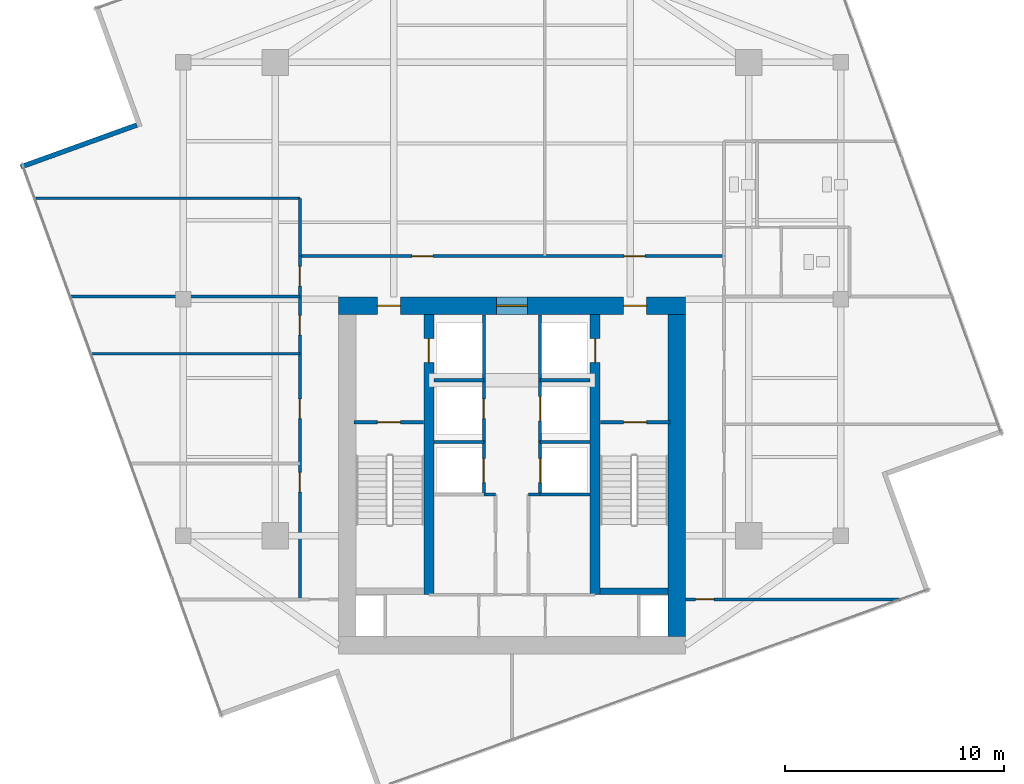
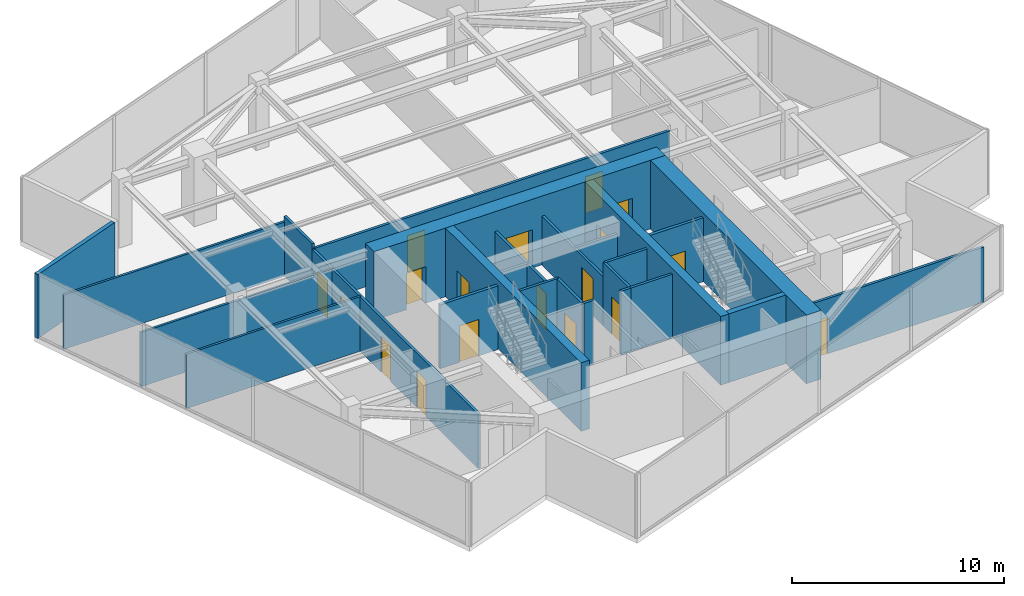
# One storey, part 18 of 21: 26 walls, 18 doors, 18 openings.
"""IFC4 building model written with IfcOpenShell, lengths in metres."""

from ifc_helpers import new_model, si_unit, direction, frame, frame_2d, origin, place, context, subcontext, project, spatial, rectangle, extrude, material, layer, layer_set, type_object, element, fill, save


model = new_model("IFC4")

# Units and contexts
model_context = context("Model", 3, precision=1e-05, world=origin(), true_north=direction((0.0, 1.0)))
body_context = subcontext(model_context, "Body", "Model", "MODEL_VIEW")
ifc_project = project(units=[si_unit("LENGTHUNIT", "METRE"), si_unit("AREAUNIT", "SQUARE_METRE"), si_unit("VOLUMEUNIT", "CUBIC_METRE"), si_unit("PLANEANGLEUNIT", "RADIAN"), si_unit("MASSUNIT", "GRAM", prefix="KILO")], contexts=[model_context])

# Site, building, storey
site_placement = place(None, origin())
site = spatial("IfcSite", under=ifc_project, at=site_placement, CompositionType="ELEMENT")
building_placement = place(site_placement, origin())
building = spatial("IfcBuilding", under=site, at=building_placement, Name="Krantzveldt Concourse Tower", CompositionType="ELEMENT")
storey_placement = place(building_placement, frame((0.0, 0.0, 331.64990234375)))
storey = spatial("IfcBuildingStorey", under=building, at=storey_placement, Name="L81", CompositionType="ELEMENT", Elevation=331.64990234375)

# Walls
ifc_material_1 = material(Name="Anodised aluminium 6063-T6", Category="aluminium")
ifc_layer_1 = layer(ifc_material_1, 0.219970703125, Name="Anodised aluminium 6063-T6", Category="aluminium")
ifc_layer_set_1 = layer_set([ifc_layer_1], Name="Anodised aluminium 6063-T6 (WL-EXT-NOTCH220)")
wall_type_1 = type_object("IfcWallType", Name="WL-EXT-NOTCH220", PredefinedType="ELEMENTEDWALL", material=ifc_layer_set_1)
wall_1_placement = place(storey_placement, frame((18.8798828125, 34.642822265625, 0.0), z_axis=(0.0, 0.0, 1.0), x_axis=(-0.940431745156, -0.339982547644, 0.0)))
element("IfcWall", 1, at=wall_1_placement, inside=storey, type_object=wall_type_1, Name="EW-L81-NCH03", PredefinedType="ELEMENTEDWALL", context=body_context, shape_type="SweptSolid", body=[
    extrude(rectangle(XDim=5.624755859375, YDim=0.219970703125, at=frame_2d((2.8125, 0.0))), origin(), (0.0, 0.0, 1.0), 3.670166015625),
])
ifc_material_2 = material(Name="Fire-rated gypsum plasterboard on steel stud", Category="steel")
ifc_layer_2 = layer(ifc_material_2, 0.1201171875, Name="Fire-rated gypsum plasterboard on steel stud", Category="steel")
ifc_layer_set_2 = layer_set([ifc_layer_2], Name="Fire-rated gypsum plasterboard on steel stud (WL-PART-120)")
wall_type_2 = type_object("IfcWallType", Name="WL-PART-120", PredefinedType="PARTITIONING", material=ifc_layer_set_2)
wall_2_placement = place(storey_placement, frame((15.848876953125, 26.820068359375, 0.0), z_axis=(0.0, 0.0, 1.0), x_axis=(1.0, 0.0, 0.0)))
element("IfcWall", 2, at=wall_2_placement, inside=storey, type_object=wall_type_2, Name="WP-L81-PNTS", PredefinedType="PARTITIONING", context=body_context, shape_type="SweptSolid", body=[
    extrude(rectangle(XDim=10.47119140625, YDim=0.1201171875, at=frame_2d((5.235595703125, 0.0))), origin(), (0.0, 0.0, 1.0), 3.130126953125),
])
wall_3_placement = place(storey_placement, frame((14.2294921875, 31.300048828125, 0.0), z_axis=(0.0, 0.0, 1.0), x_axis=(1.0, 0.0, 0.0)))
element("IfcWall", 3, at=wall_3_placement, inside=storey, type_object=wall_type_2, Name="WP-L81-PNTN", PredefinedType="PARTITIONING", context=body_context, shape_type="SweptSolid", body=[
    extrude(rectangle(XDim=12.090576171875, YDim=0.1201171875, at=frame_2d((6.04541015625, 0.0))), origin(), (0.0, 0.0, 1.0), 3.130126953125),
])
wall_4_placement = place(storey_placement, frame((16.796142578125, 24.199951171875, 0.0), z_axis=(0.0, 0.0, 1.0), x_axis=(1.0, 0.0, 0.0)))
element("IfcWall", 4, at=wall_4_placement, inside=storey, type_object=wall_type_2, Name="WP-L81-WD2", PredefinedType="PARTITIONING", context=body_context, shape_type="SweptSolid", body=[
    extrude(rectangle(XDim=9.52392578125, YDim=0.1201171875, at=frame_2d((4.761962890625, 0.0))), origin(), (0.0, 0.0, 1.0), 3.130126953125),
])

# Wall, openings, doors
ifc_layer_3 = layer(ifc_material_2, 0.139892578125, Name="Fire-rated gypsum plasterboard on steel stud", Category="steel")
ifc_layer_set_3 = layer_set([ifc_layer_3], Name="Fire-rated gypsum plasterboard on steel stud (WL-PART-140)")
wall_type_3 = type_object("IfcWallType", Name="WL-PART-140", PredefinedType="PARTITIONING", material=ifc_layer_set_3)
wall_5_placement = place(storey_placement, frame((26.320068359375, 28.659912109375, 0.0), z_axis=(0.0, 0.0, 1.0), x_axis=(1.0, 0.0, 0.0)))
wall_5 = element("IfcWall", 5, at=wall_5_placement, inside=storey, type_object=wall_type_3, Name="WP-L81-CNHDR", PredefinedType="PARTITIONING", context=body_context, shape_type="SweptSolid", body=[
    extrude(rectangle(XDim=19.35986328125, YDim=0.139892578125, at=frame_2d((9.679931640625, 0.0))), origin(), (0.0, 0.0, 1.0), 3.18017578125),
])
opening_1_placement = place(wall_5_placement, frame((5.114990234375, 0.0, 0.0)))
opening_1 = element("IfcOpeningElement", 6, at=opening_1_placement, cuts=wall_5, Name="Opening D-IN095", PredefinedType="OPENING", context=body_context, shape_type="SweptSolid", body=[
    extrude(rectangle(XDim=0.949951171875, YDim=2.10009765625, at=frame_2d((0.47509765625, 1.050048828125))), frame((0.0, 0.080078125, 0.0), z_axis=(0.0, -1.0, 0.0), x_axis=(1.0, 0.0, 0.0)), (0.0, 0.0, 1.0), 0.159912109375),
])
opening_2_placement = place(wall_5_placement, frame((14.794921875, 0.0, 0.0)))
opening_2 = element("IfcOpeningElement", 7, at=opening_2_placement, cuts=wall_5, Name="Opening D-IN095", PredefinedType="OPENING", context=body_context, shape_type="SweptSolid", body=[
    extrude(rectangle(XDim=0.949951171875, YDim=2.10009765625, at=frame_2d((0.47509765625, 1.050048828125))), frame((0.0, 0.080078125, 0.0), z_axis=(0.0, -1.0, 0.0), x_axis=(1.0, 0.0, 0.0)), (0.0, 0.0, 1.0), 0.159912109375),
])
ifc_material_3 = material(Name="Hardwood timber", Category="wood")
door_type_1 = type_object("IfcDoorType", Name="DR-INT-950", OperationType="SINGLE_SWING_LEFT", PredefinedType="DOOR", material=ifc_material_3)
door_1_placement = place(opening_1_placement, origin())
door_1 = element("IfcDoor", 8, at=door_1_placement, inside=storey, type_object=door_type_1, Name="DR-L81-NR1", OperationType="SINGLE_SWING_LEFT", OverallHeight=2.10009765625, OverallWidth=0.949951171875, PredefinedType="DOOR", context=body_context, shape_type="SweptSolid", body=[
    extrude(rectangle(XDim=0.949951171875, YDim=2.10009765625, at=frame_2d((0.47509765625, 1.050048828125))), frame((0.0, 0.02490234375, 0.0), z_axis=(0.0, -1.0, 0.0), x_axis=(1.0, 0.0, 0.0)), (0.0, 0.0, 1.0), 0.050048828125),
])
fill(opening_1, door_1)
door_2_placement = place(opening_2_placement, origin())
door_2 = element("IfcDoor", 9, at=door_2_placement, inside=storey, type_object=door_type_1, Name="DR-L81-NR2", OperationType="SINGLE_SWING_LEFT", OverallHeight=2.10009765625, OverallWidth=0.949951171875, PredefinedType="DOOR", context=body_context, shape_type="SweptSolid", body=[
    extrude(rectangle(XDim=0.949951171875, YDim=2.10009765625, at=frame_2d((0.47509765625, 1.050048828125))), frame((0.0, 0.02490234375, 0.0), z_axis=(0.0, -1.0, 0.0), x_axis=(1.0, 0.0, 0.0)), (0.0, 0.0, 1.0), 0.050048828125),
])
fill(opening_2, door_2)

wall_6_placement = place(storey_placement, frame((26.320068359375, 13.0, 0.0), z_axis=(0.0, 0.0, 1.0), x_axis=(0.0, 1.0, 0.0)))
wall_6 = element("IfcWall", 10, at=wall_6_placement, inside=storey, type_object=wall_type_3, Name="WP-L81-CWEST", PredefinedType="PARTITIONING", context=body_context, shape_type="SweptSolid", body=[
    extrude(rectangle(XDim=15.659912109375, YDim=0.139892578125, at=frame_2d((7.830078125, 0.0))), origin(), (0.0, 0.0, 1.0), 3.130126953125),
])
opening_3_placement = place(wall_6_placement, frame((14.300048828125, 0.0, 0.0)))
opening_3 = element("IfcOpeningElement", 11, at=opening_3_placement, cuts=wall_6, Name="Opening D-IN090", PredefinedType="OPENING", context=body_context, shape_type="SweptSolid", body=[
    extrude(rectangle(XDim=0.89990234375, YDim=2.10009765625, at=frame_2d((0.449951171875, 1.050048828125))), frame((0.0, 0.080078125, 0.0), z_axis=(0.0, -1.0, 0.0), x_axis=(1.0, 0.0, 0.0)), (0.0, 0.0, 1.0), 0.159912109375),
])
opening_4_placement = place(wall_6_placement, frame((4.89990234375, 0.0, 0.0)))
opening_4 = element("IfcOpeningElement", 12, at=opening_4_placement, cuts=wall_6, Name="Opening D-IN090", PredefinedType="OPENING", context=body_context, shape_type="SweptSolid", body=[
    extrude(rectangle(XDim=0.89990234375, YDim=2.10009765625, at=frame_2d((0.449951171875, 1.050048828125))), frame((0.0, 0.080078125, 0.0), z_axis=(0.0, -1.0, 0.0), x_axis=(1.0, 0.0, 0.0)), (0.0, 0.0, 1.0), 0.159912109375),
])
opening_5_placement = place(wall_6_placement, frame((8.25, 0.0, 0.0)))
opening_5 = element("IfcOpeningElement", 13, at=opening_5_placement, cuts=wall_6, Name="Opening D-IN090", PredefinedType="OPENING", context=body_context, shape_type="SweptSolid", body=[
    extrude(rectangle(XDim=0.89990234375, YDim=2.10009765625, at=frame_2d((0.449951171875, 1.050048828125))), frame((0.0, 0.080078125, 0.0), z_axis=(0.0, -1.0, 0.0), x_axis=(1.0, 0.0, 0.0)), (0.0, 0.0, 1.0), 0.159912109375),
])
opening_6_placement = place(wall_6_placement, frame((12.06005859375, 0.0, 0.0)))
opening_6 = element("IfcOpeningElement", 14, at=opening_6_placement, cuts=wall_6, Name="Opening D-IN090", PredefinedType="OPENING", context=body_context, shape_type="SweptSolid", body=[
    extrude(rectangle(XDim=0.89990234375, YDim=2.10009765625, at=frame_2d((0.449951171875, 1.050048828125))), frame((0.0, 0.080078125, 0.0), z_axis=(0.0, -1.0, 0.0), x_axis=(1.0, 0.0, 0.0)), (0.0, 0.0, 1.0), 0.159912109375),
])
door_type_2 = type_object("IfcDoorType", Name="DR-INT-900", OperationType="SINGLE_SWING_LEFT", PredefinedType="DOOR", material=ifc_material_3)
door_3_placement = place(opening_3_placement, origin())
door_3 = element("IfcDoor", 15, at=door_3_placement, inside=storey, type_object=door_type_2, Name="DR-L81-PNT", OperationType="SINGLE_SWING_LEFT", OverallHeight=2.10009765625, OverallWidth=0.89990234375, PredefinedType="DOOR", context=body_context, shape_type="SweptSolid", body=[
    extrude(rectangle(XDim=0.89990234375, YDim=2.10009765625, at=frame_2d((0.449951171875, 1.050048828125))), frame((0.0, 0.02490234375, 0.0), z_axis=(0.0, -1.0, 0.0), x_axis=(1.0, 0.0, 0.0)), (0.0, 0.0, 1.0), 0.050048828125),
])
fill(opening_3, door_3)
door_4_placement = place(opening_4_placement, origin())
door_4 = element("IfcDoor", 16, at=door_4_placement, inside=storey, type_object=door_type_2, Name="DR-L81-WR1", OperationType="SINGLE_SWING_LEFT", OverallHeight=2.10009765625, OverallWidth=0.89990234375, PredefinedType="DOOR", context=body_context, shape_type="SweptSolid", body=[
    extrude(rectangle(XDim=0.89990234375, YDim=2.10009765625, at=frame_2d((0.449951171875, 1.050048828125))), frame((0.0, 0.02490234375, 0.0), z_axis=(0.0, -1.0, 0.0), x_axis=(1.0, 0.0, 0.0)), (0.0, 0.0, 1.0), 0.050048828125),
])
fill(opening_4, door_4)
door_5_placement = place(opening_5_placement, origin())
door_5 = element("IfcDoor", 17, at=door_5_placement, inside=storey, type_object=door_type_2, Name="DR-L81-WR2", OperationType="SINGLE_SWING_LEFT", OverallHeight=2.10009765625, OverallWidth=0.89990234375, PredefinedType="DOOR", context=body_context, shape_type="SweptSolid", body=[
    extrude(rectangle(XDim=0.89990234375, YDim=2.10009765625, at=frame_2d((0.449951171875, 1.050048828125))), frame((0.0, 0.02490234375, 0.0), z_axis=(0.0, -1.0, 0.0), x_axis=(1.0, 0.0, 0.0)), (0.0, 0.0, 1.0), 0.050048828125),
])
fill(opening_5, door_5)
door_6_placement = place(opening_6_placement, origin())
door_6 = element("IfcDoor", 18, at=door_6_placement, inside=storey, type_object=door_type_2, Name="DR-L81-WR3", OperationType="SINGLE_SWING_LEFT", OverallHeight=2.10009765625, OverallWidth=0.89990234375, PredefinedType="DOOR", context=body_context, shape_type="SweptSolid", body=[
    extrude(rectangle(XDim=0.89990234375, YDim=2.10009765625, at=frame_2d((0.449951171875, 1.050048828125))), frame((0.0, 0.02490234375, 0.0), z_axis=(0.0, -1.0, 0.0), x_axis=(1.0, 0.0, 0.0)), (0.0, 0.0, 1.0), 0.050048828125),
])
fill(opening_6, door_6)

# Wall, opening, door
wall_7_placement = place(storey_placement, frame((43.919921875, 13.0, 0.0), z_axis=(0.0, 0.0, 1.0), x_axis=(1.0, 0.0, 0.0)))
wall_7 = element("IfcWall", 19, at=wall_7_placement, inside=storey, type_object=wall_type_3, Name="WP-L81-CSBOTE", PredefinedType="PARTITIONING", context=body_context, shape_type="SweptSolid", body=[
    extrude(rectangle(XDim=9.80517578125, YDim=0.139892578125, at=frame_2d((4.902587890625, 0.0))), origin(), (0.0, 0.0, 1.0), 3.18017578125),
])
opening_7_placement = place(wall_7_placement, frame((0.455078125, 0.0, 0.0)))
opening_7 = element("IfcOpeningElement", 20, at=opening_7_placement, cuts=wall_7, Name="Opening D-IN085", PredefinedType="OPENING", context=body_context, shape_type="SweptSolid", body=[
    extrude(rectangle(XDim=0.85009765625, YDim=2.10009765625, at=frame_2d((0.425048828125, 1.050048828125))), frame((0.0, 0.080078125, 0.0), z_axis=(0.0, -1.0, 0.0), x_axis=(1.0, 0.0, 0.0)), (0.0, 0.0, 1.0), 0.159912109375),
])
door_type_3 = type_object("IfcDoorType", Name="DR-INT-850", OperationType="SINGLE_SWING_LEFT", PredefinedType="DOOR", material=ifc_material_3)
door_7_placement = place(opening_7_placement, origin())
door_7 = element("IfcDoor", 21, at=door_7_placement, inside=storey, type_object=door_type_3, Name="DR-L81-SR2", OperationType="SINGLE_SWING_LEFT", OverallHeight=2.10009765625, OverallWidth=0.85009765625, PredefinedType="DOOR", context=body_context, shape_type="SweptSolid", body=[
    extrude(rectangle(XDim=0.85009765625, YDim=2.10009765625, at=frame_2d((0.425048828125, 1.050048828125))), frame((0.0, 0.02490234375, 0.0), z_axis=(0.0, -1.0, 0.0), x_axis=(1.0, 0.0, 0.0)), (0.0, 0.0, 1.0), 0.050048828125),
])
fill(opening_7, door_7)

# Wall
wall_8_placement = place(storey_placement, frame((26.320068359375, 28.659912109375, 0.0), z_axis=(0.0, 0.0, 1.0), x_axis=(0.0, 1.0, 0.0)))
element("IfcWall", 22, at=wall_8_placement, inside=storey, type_object=wall_type_3, Name="WP-L81-NWL", PredefinedType="PARTITIONING", context=body_context, shape_type="SweptSolid", body=[
    extrude(rectangle(XDim=2.64013671875, YDim=0.139892578125, at=frame_2d((1.320068359375, 0.0))), origin(), (0.0, 0.0, 1.0), 3.43017578125),
])

# Wall, opening, door
ifc_layer_4 = layer(ifc_material_2, 0.139892578125, Name="Fire-rated gypsum plasterboard on steel stud", Category="steel")
ifc_layer_set_4 = layer_set([ifc_layer_4], Name="Fire-rated gypsum plasterboard on steel stud (WL-PART-FR140)")
wall_type_4 = type_object("IfcWallType", Name="WL-PART-FR140", PredefinedType="PARTITIONING", material=ifc_layer_set_4)
wall_9_placement = place(storey_placement, frame((34.719970703125, 20.199951171875, 0.0), z_axis=(0.0, 0.0, 1.0), x_axis=(0.0, 1.0, 0.0)))
wall_9 = element("IfcWall", 23, at=wall_9_placement, inside=storey, type_object=wall_type_4, Name="WP-L81-SHNW", PredefinedType="PARTITIONING", context=body_context, shape_type="SweptSolid", body=[
    extrude(rectangle(XDim=5.780029296875, YDim=0.139892578125, at=frame_2d((2.89013671875, 0.0))), origin(), (0.0, 0.0, 1.0), 2.820068359375),
])
opening_8_placement = place(wall_9_placement, frame((1.050048828125, 0.0, 0.0)))
opening_8 = element("IfcOpeningElement", 24, at=opening_8_placement, cuts=wall_9, Name="Opening D-FD090", PredefinedType="OPENING", context=body_context, shape_type="SweptSolid", body=[
    extrude(rectangle(XDim=0.89990234375, YDim=2.10009765625, at=frame_2d((0.449951171875, 1.050048828125))), frame((0.0, 0.080078125, 0.0), z_axis=(0.0, -1.0, 0.0), x_axis=(1.0, 0.0, 0.0)), (0.0, 0.0, 1.0), 0.159912109375),
])
door_type_4 = type_object("IfcDoorType", Name="DR-FD60-900", OperationType="SINGLE_SWING_LEFT", PredefinedType="DOOR", material=ifc_material_3)
door_8_placement = place(opening_8_placement, origin())
door_8 = element("IfcDoor", 25, at=door_8_placement, inside=storey, type_object=door_type_4, Name="Electrical Riser Access Door L81", OperationType="SINGLE_SWING_LEFT", OverallHeight=2.10009765625, OverallWidth=0.89990234375, PredefinedType="DOOR", context=body_context, shape_type="SweptSolid", body=[
    extrude(rectangle(XDim=0.89990234375, YDim=2.10009765625, at=frame_2d((0.449951171875, 1.050048828125))), frame((0.0, 0.02490234375, 0.0), z_axis=(0.0, -1.0, 0.0), x_axis=(1.0, 0.0, 0.0)), (0.0, 0.0, 1.0), 0.050048828125),
])
fill(opening_8, door_8)

wall_10_placement = place(storey_placement, frame((37.280029296875, 20.199951171875, 0.0), z_axis=(0.0, 0.0, 1.0), x_axis=(0.0, 1.0, 0.0)))
wall_10 = element("IfcWall", 26, at=wall_10_placement, inside=storey, type_object=wall_type_4, Name="WP-L81-SHNE", PredefinedType="PARTITIONING", context=body_context, shape_type="SweptSolid", body=[
    extrude(rectangle(XDim=5.780029296875, YDim=0.139892578125, at=frame_2d((2.89013671875, 0.0))), origin(), (0.0, 0.0, 1.0), 2.820068359375),
])
opening_9_placement = place(wall_10_placement, frame((0.949951171875, 0.0, 0.0)))
opening_9 = element("IfcOpeningElement", 27, at=opening_9_placement, cuts=wall_10, Name="Opening LD", PredefinedType="OPENING", context=body_context, shape_type="SweptSolid", body=[
    extrude(rectangle(XDim=1.10009765625, YDim=2.14990234375, at=frame_2d((0.550048828125, 1.074951171875))), frame((0.0, 0.080078125, 0.0), z_axis=(0.0, -1.0, 0.0), x_axis=(1.0, 0.0, 0.0)), (0.0, 0.0, 1.0), 0.159912109375),
])
ifc_material_4 = material(Name="Stainless steel 316L", Category="steel")
door_type_5 = type_object("IfcDoorType", Name="DR-SLIDE-LD1100", OperationType="DOUBLE_DOOR_SLIDING", PredefinedType="DOOR", material=ifc_material_4)
door_9_placement = place(opening_9_placement, origin())
door_9 = element("IfcDoor", 28, at=door_9_placement, inside=storey, type_object=door_type_5, Name="LD-L81-GL1", OperationType="DOUBLE_DOOR_SLIDING", OverallHeight=2.14990234375, OverallWidth=1.10009765625, PredefinedType="DOOR", context=body_context, shape_type="SweptSolid", body=[
    extrude(rectangle(XDim=1.10009765625, YDim=2.14990234375, at=frame_2d((0.550048828125, 1.074951171875))), frame((0.0, 0.02490234375, 0.0), z_axis=(0.0, -1.0, 0.0), x_axis=(1.0, 0.0, 0.0)), (0.0, 0.0, 1.0), 0.050048828125),
])
fill(opening_9, door_9)

# Walls
for number, where, z_axis, x_axis, name in (
    (29, (32.449951171875, 23.0, 0.0), (0.0, 0.0, 1.0), (1.0, 0.0, 0.0), "WP-L81-RISH"),
    (30, (37.280029296875, 23.0, 0.0), (0.0, 0.0, 1.0), (1.0, 0.0, 0.0), "WP-L81-GLH"),
):
    element("IfcWall", number, at=place(storey_placement, frame(where, z_axis=z_axis, x_axis=x_axis)), inside=storey, type_object=wall_type_4, Name=name, PredefinedType="PARTITIONING", context=body_context, shape_type="SweptSolid", body=[
        extrude(rectangle(XDim=2.27001953125, YDim=0.139892578125, at=frame_2d((1.135009765625, 0.0))), origin(), (0.0, 0.0, 1.0), 2.820068359375),
    ])

# Wall, opening, door
wall_11_placement = place(storey_placement, frame((34.719970703125, 17.780029296875, 0.0), z_axis=(0.0, 0.0, 1.0), x_axis=(0.0, 1.0, 0.0)))
wall_11 = element("IfcWall", 31, at=wall_11_placement, inside=storey, type_object=wall_type_4, Name="WP-L81-SHNW2", PredefinedType="PARTITIONING", context=body_context, shape_type="SweptSolid", body=[
    extrude(rectangle(XDim=2.419921875, YDim=0.139892578125, at=frame_2d((1.2099609375, 0.0))), origin(), (0.0, 0.0, 1.0), 3.670166015625),
])
opening_10_placement = place(wall_11_placement, frame((0.550048828125, 0.0, 0.0)))
opening_10 = element("IfcOpeningElement", 32, at=opening_10_placement, cuts=wall_11, Name="Opening LD", PredefinedType="OPENING", context=body_context, shape_type="SweptSolid", body=[
    extrude(rectangle(XDim=1.10009765625, YDim=2.14990234375, at=frame_2d((0.550048828125, 1.074951171875))), frame((0.0, 0.080078125, 0.0), z_axis=(0.0, -1.0, 0.0), x_axis=(1.0, 0.0, 0.0)), (0.0, 0.0, 1.0), 0.159912109375),
])
door_10_placement = place(opening_10_placement, origin())
door_10 = element("IfcDoor", 33, at=door_10_placement, inside=storey, type_object=door_type_5, Name="LD-L81-PH1", OperationType="DOUBLE_DOOR_SLIDING", OverallHeight=2.14990234375, OverallWidth=1.10009765625, PredefinedType="DOOR", context=body_context, shape_type="SweptSolid", body=[
    extrude(rectangle(XDim=1.10009765625, YDim=2.14990234375, at=frame_2d((0.550048828125, 1.074951171875))), frame((0.0, 0.02490234375, 0.0), z_axis=(0.0, -1.0, 0.0), x_axis=(1.0, 0.0, 0.0)), (0.0, 0.0, 1.0), 0.050048828125),
])
fill(opening_10, door_10)

wall_12_placement = place(storey_placement, frame((37.280029296875, 17.780029296875, 0.0), z_axis=(0.0, 0.0, 1.0), x_axis=(0.0, 1.0, 0.0)))
wall_12 = element("IfcWall", 34, at=wall_12_placement, inside=storey, type_object=wall_type_4, Name="WP-L81-SHNE2", PredefinedType="PARTITIONING", context=body_context, shape_type="SweptSolid", body=[
    extrude(rectangle(XDim=2.419921875, YDim=0.139892578125, at=frame_2d((1.2099609375, 0.0))), origin(), (0.0, 0.0, 1.0), 3.670166015625),
])
opening_11_placement = place(wall_12_placement, frame((0.550048828125, 0.0, 0.0)))
opening_11 = element("IfcOpeningElement", 35, at=opening_11_placement, cuts=wall_12, Name="Opening LD", PredefinedType="OPENING", context=body_context, shape_type="SweptSolid", body=[
    extrude(rectangle(XDim=1.10009765625, YDim=2.14990234375, at=frame_2d((0.550048828125, 1.074951171875))), frame((0.0, 0.080078125, 0.0), z_axis=(0.0, -1.0, 0.0), x_axis=(1.0, 0.0, 0.0)), (0.0, 0.0, 1.0), 0.159912109375),
])
door_11_placement = place(opening_11_placement, origin())
door_11 = element("IfcDoor", 36, at=door_11_placement, inside=storey, type_object=door_type_5, Name="LD-L81-PH2", OperationType="DOUBLE_DOOR_SLIDING", OverallHeight=2.14990234375, OverallWidth=1.10009765625, PredefinedType="DOOR", context=body_context, shape_type="SweptSolid", body=[
    extrude(rectangle(XDim=1.10009765625, YDim=2.14990234375, at=frame_2d((0.550048828125, 1.074951171875))), frame((0.0, 0.02490234375, 0.0), z_axis=(0.0, -1.0, 0.0), x_axis=(1.0, 0.0, 0.0)), (0.0, 0.0, 1.0), 0.050048828125),
])
fill(opening_11, door_11)

# Walls
for number, where, z_axis, x_axis, name in (
    (37, (32.449951171875, 20.179931640625, 0.0), (0.0, 0.0, 1.0), (1.0, 0.0, 0.0), "WP-L81-DIVW3"),
    (38, (37.280029296875, 17.780029296875, 0.0), (0.0, 0.0, 1.0), (1.0, 0.0, 0.0), "WP-L81-DIVE2"),
    (39, (37.280029296875, 20.179931640625, 0.0), (0.0, 0.0, 1.0), (1.0, 0.0, 0.0), "WP-L81-DIVE3"),
):
    element("IfcWall", number, at=place(storey_placement, frame(where, z_axis=z_axis, x_axis=x_axis)), inside=storey, type_object=wall_type_4, Name=name, PredefinedType="PARTITIONING", context=body_context, shape_type="SweptSolid", body=[
        extrude(rectangle(XDim=2.27001953125, YDim=0.139892578125, at=frame_2d((1.135009765625, 0.0))), origin(), (0.0, 0.0, 1.0), 3.670166015625),
    ])
for number, where, z_axis, x_axis, name in (
    (40, (34.719970703125, 17.780029296875, 0.0), (0.0, 0.0, 1.0), (1.0, 0.0, 0.0), "WP-L81-RECWN"),
    (41, (36.75, 17.780029296875, 0.0), (0.0, 0.0, 1.0), (1.0, 0.0, 0.0), "WP-L81-RECEN"),
):
    element("IfcWall", number, at=place(storey_placement, frame(where, z_axis=z_axis, x_axis=x_axis)), inside=storey, type_object=wall_type_4, Name=name, PredefinedType="PARTITIONING", context=body_context, shape_type="SweptSolid", body=[
        extrude(rectangle(XDim=0.530029296875, YDim=0.139892578125, at=frame_2d((0.26513671875, 0.0))), origin(), (0.0, 0.0, 1.0), 3.670166015625),
    ])

# Wall, opening, door
ifc_layer_5 = layer(ifc_material_2, 0.159912109375, Name="Fire-rated gypsum plasterboard on steel stud", Category="steel")
ifc_layer_set_5 = layer_set([ifc_layer_5], Name="Fire-rated gypsum plasterboard on steel stud (WL-PART-FR160)")
wall_type_5 = type_object("IfcWallType", Name="WL-PART-FR160", PredefinedType="PARTITIONING", material=ifc_layer_set_5)
wall_13_placement = place(storey_placement, frame((28.800048828125, 21.080078125, 0.0), z_axis=(0.0, 0.0, 1.0), x_axis=(1.0, 0.0, 0.0)))
wall_13 = element("IfcWall", 42, at=wall_13_placement, inside=storey, type_object=wall_type_5, Name="WP-L81-ST1", PredefinedType="PARTITIONING", context=body_context, shape_type="SweptSolid", body=[
    extrude(rectangle(XDim=3.159912109375, YDim=0.159912109375, at=frame_2d((1.580078125, 0.0))), origin(), (0.0, 0.0, 1.0), 3.670166015625),
])
opening_12_placement = place(wall_13_placement, frame((1.054931640625, 0.0, 0.0)))
opening_12 = element("IfcOpeningElement", 43, at=opening_12_placement, cuts=wall_13, Name="Opening D-FD105", PredefinedType="OPENING", context=body_context, shape_type="SweptSolid", body=[
    extrude(rectangle(XDim=1.050048828125, YDim=2.10009765625, at=frame_2d((0.52490234375, 1.050048828125))), frame((0.0, 0.08984375, 0.0), z_axis=(0.0, -1.0, 0.0), x_axis=(1.0, 0.0, 0.0)), (0.0, 0.0, 1.0), 0.179931640625),
])
ifc_material_5 = material(Name="Galvanised steel", Category="steel")
door_type_6 = type_object("IfcDoorType", Name="DR-FD120-1050", OperationType="SINGLE_SWING_LEFT", PredefinedType="DOOR", material=ifc_material_5)
door_12_placement = place(opening_12_placement, origin())
door_12 = element("IfcDoor", 44, at=door_12_placement, inside=storey, type_object=door_type_6, Name="DR-L81-ST1", OperationType="SINGLE_SWING_RIGHT", OverallHeight=2.10009765625, OverallWidth=1.050048828125, PredefinedType="DOOR", context=body_context, shape_type="SweptSolid", body=[
    extrude(rectangle(XDim=1.050048828125, YDim=2.10009765625, at=frame_2d((0.52490234375, 1.050048828125))), frame((0.0, 0.02490234375, 0.0), z_axis=(0.0, -1.0, 0.0), x_axis=(1.0, 0.0, 0.0)), (0.0, 0.0, 1.0), 0.050048828125),
])
fill(opening_12, door_12)

wall_14_placement = place(storey_placement, frame((40.0400390625, 21.080078125, 0.0), z_axis=(0.0, 0.0, 1.0), x_axis=(1.0, 0.0, 0.0)))
wall_14 = element("IfcWall", 45, at=wall_14_placement, inside=storey, type_object=wall_type_5, Name="WP-L81-ST2", PredefinedType="PARTITIONING", context=body_context, shape_type="SweptSolid", body=[
    extrude(rectangle(XDim=3.159912109375, YDim=0.159912109375, at=frame_2d((1.580078125, 0.0))), origin(), (0.0, 0.0, 1.0), 3.670166015625),
])
opening_13_placement = place(wall_14_placement, frame((1.054931640625, 0.0, 0.0)))
opening_13 = element("IfcOpeningElement", 46, at=opening_13_placement, cuts=wall_14, Name="Opening D-FD105", PredefinedType="OPENING", context=body_context, shape_type="SweptSolid", body=[
    extrude(rectangle(XDim=1.050048828125, YDim=2.10009765625, at=frame_2d((0.52490234375, 1.050048828125))), frame((0.0, 0.08984375, 0.0), z_axis=(0.0, -1.0, 0.0), x_axis=(1.0, 0.0, 0.0)), (0.0, 0.0, 1.0), 0.179931640625),
])
door_13_placement = place(opening_13_placement, origin())
door_13 = element("IfcDoor", 47, at=door_13_placement, inside=storey, type_object=door_type_6, Name="DR-L81-ST2", OperationType="SINGLE_SWING_LEFT", OverallHeight=2.10009765625, OverallWidth=1.050048828125, PredefinedType="DOOR", context=body_context, shape_type="SweptSolid", body=[
    extrude(rectangle(XDim=1.050048828125, YDim=2.10009765625, at=frame_2d((0.52490234375, 1.050048828125))), frame((0.0, 0.02490234375, 0.0), z_axis=(0.0, -1.0, 0.0), x_axis=(1.0, 0.0, 0.0)), (0.0, 0.0, 1.0), 0.050048828125),
])
fill(opening_13, door_13)

# Wall
ifc_material_6 = material(Name="Concrete C50/60", Category="concrete")
ifc_layer_6 = layer(ifc_material_6, 0.300048828125, Name="Concrete C50/60", Category="concrete")
ifc_layer_set_6 = layer_set([ifc_layer_6], Name="Concrete C50/60 (WL-SHEAR-300)")
wall_type_6 = type_object("IfcWallType", Name="WL-SHEAR-300", PredefinedType="SHEAR", material=ifc_layer_set_6)
wall_15_placement = place(storey_placement, frame((40.02001953125, 13.3701171875, 0.0), z_axis=(0.0, 0.0, 1.0), x_axis=(1.0, 0.0, 0.0)))
element("IfcWall", 48, at=wall_15_placement, inside=storey, type_object=wall_type_6, Name="CW-L81-ST2S", PredefinedType="SHEAR", context=body_context, shape_type="SweptSolid", body=[
    extrude(rectangle(XDim=3.10009765625, YDim=0.300048828125, at=frame_2d((1.550048828125, 0.0))), origin(), (0.0, 0.0, 1.0), 3.9501953125),
])

# Wall, opening, door
ifc_layer_7 = layer(ifc_material_6, 0.449951171875, Name="Concrete C50/60", Category="concrete")
ifc_layer_set_7 = layer_set([ifc_layer_7], Name="Concrete C50/60 (WL-SHEAR-450)")
wall_type_7 = type_object("IfcWallType", Name="WL-SHEAR-450", PredefinedType="SHEAR", material=ifc_layer_set_7)
wall_16_placement = place(storey_placement, frame((32.205078125, 13.219970703125, 0.0), z_axis=(0.0, 0.0, 1.0), x_axis=(0.0, 1.0, 0.0)))
wall_16 = element("IfcWall", 49, at=wall_16_placement, inside=storey, type_object=wall_type_7, Name="CW-L81-IW", PredefinedType="SHEAR", context=body_context, shape_type="SweptSolid", body=[
    extrude(rectangle(XDim=12.780029296875, YDim=0.449951171875, at=frame_2d((6.39013671875, 0.0))), origin(), (0.0, 0.0, 1.0), 3.9501953125),
])
opening_14_placement = place(wall_16_placement, frame((10.580078125, 0.0, 0.0)))
opening_14 = element("IfcOpeningElement", 50, at=opening_14_placement, cuts=wall_16, Name="Opening LD", PredefinedType="OPENING", context=body_context, shape_type="SweptSolid", body=[
    extrude(rectangle(XDim=1.10009765625, YDim=2.14990234375, at=frame_2d((0.550048828125, 1.074951171875))), frame((0.0, 0.23486328125, 0.0), z_axis=(0.0, -1.0, 0.0), x_axis=(1.0, 0.0, 0.0)), (0.0, 0.0, 1.0), 0.469970703125),
])
door_14_placement = place(opening_14_placement, origin())
door_14 = element("IfcDoor", 51, at=door_14_placement, inside=storey, type_object=door_type_5, Name="LD-L81-FL1", OperationType="DOUBLE_DOOR_SLIDING", OverallHeight=2.14990234375, OverallWidth=1.10009765625, PredefinedType="DOOR", context=body_context, shape_type="SweptSolid", body=[
    extrude(rectangle(XDim=1.10009765625, YDim=2.14990234375, at=frame_2d((0.550048828125, 1.074951171875))), frame((0.0, 0.02490234375, 0.0), z_axis=(0.0, -1.0, 0.0), x_axis=(1.0, 0.0, 0.0)), (0.0, 0.0, 1.0), 0.050048828125),
])
fill(opening_14, door_14)

wall_17_placement = place(storey_placement, frame((39.794921875, 13.219970703125, 0.0), z_axis=(0.0, 0.0, 1.0), x_axis=(0.0, 1.0, 0.0)))
wall_17 = element("IfcWall", 52, at=wall_17_placement, inside=storey, type_object=wall_type_7, Name="CW-L81-IE", PredefinedType="SHEAR", context=body_context, shape_type="SweptSolid", body=[
    extrude(rectangle(XDim=12.780029296875, YDim=0.449951171875, at=frame_2d((6.39013671875, 0.0))), origin(), (0.0, 0.0, 1.0), 3.9501953125),
])
opening_15_placement = place(wall_17_placement, frame((10.580078125, 0.0, 0.0)))
opening_15 = element("IfcOpeningElement", 53, at=opening_15_placement, cuts=wall_17, Name="Opening LD", PredefinedType="OPENING", context=body_context, shape_type="SweptSolid", body=[
    extrude(rectangle(XDim=1.10009765625, YDim=2.14990234375, at=frame_2d((0.550048828125, 1.074951171875))), frame((0.0, 0.23486328125, 0.0), z_axis=(0.0, -1.0, 0.0), x_axis=(1.0, 0.0, 0.0)), (0.0, 0.0, 1.0), 0.469970703125),
])
door_15_placement = place(opening_15_placement, origin())
door_15 = element("IfcDoor", 54, at=door_15_placement, inside=storey, type_object=door_type_5, Name="LD-L81-FL2", OperationType="DOUBLE_DOOR_SLIDING", OverallHeight=2.14990234375, OverallWidth=1.10009765625, PredefinedType="DOOR", context=body_context, shape_type="SweptSolid", body=[
    extrude(rectangle(XDim=1.10009765625, YDim=2.14990234375, at=frame_2d((0.550048828125, 1.074951171875))), frame((0.0, 0.02490234375, 0.0), z_axis=(0.0, -1.0, 0.0), x_axis=(1.0, 0.0, 0.0)), (0.0, 0.0, 1.0), 0.050048828125),
])
fill(opening_15, door_15)

# Wall, openings, doors
ifc_material_7 = material(Name="Concrete C60/75", Category="concrete")
ifc_layer_8 = layer(ifc_material_7, 0.800048828125, Name="Concrete C60/75", Category="concrete")
ifc_layer_set_8 = layer_set([ifc_layer_8], Name="Concrete C60/75 (WL-SHEAR-800)")
wall_type_8 = type_object("IfcWallType", Name="WL-SHEAR-800", PredefinedType="SHEAR", material=ifc_layer_set_8)
wall_18_placement = place(storey_placement, frame((28.080078125, 26.39990234375, 0.0), z_axis=(0.0, 0.0, 1.0), x_axis=(1.0, 0.0, 0.0)))
wall_18 = element("IfcWall", 55, at=wall_18_placement, inside=storey, type_object=wall_type_8, Name="CW-L81-N", PredefinedType="SHEAR", context=body_context, shape_type="SweptSolid", body=[
    extrude(rectangle(XDim=15.83984375, YDim=0.800048828125, at=frame_2d((7.919921875, 0.0))), origin(), (0.0, 0.0, 1.0), 3.9501953125),
])
opening_16_placement = place(wall_18_placement, frame((7.219970703125, 0.0, 0.0)))
opening_16 = element("IfcOpeningElement", 56, at=opening_16_placement, cuts=wall_18, Name="Opening D-DB140", PredefinedType="OPENING", context=body_context, shape_type="SweptSolid", body=[
    extrude(rectangle(XDim=1.39990234375, YDim=2.199951171875, at=frame_2d((0.699951171875, 1.10009765625))), frame((0.0, 0.41015625, 0.0), z_axis=(0.0, -1.0, 0.0), x_axis=(1.0, 0.0, 0.0)), (0.0, 0.0, 1.0), 0.820068359375),
])
opening_17_placement = place(wall_18_placement, frame((1.77490234375, 0.0, 0.0)))
opening_17 = element("IfcOpeningElement", 57, at=opening_17_placement, cuts=wall_18, Name="Opening D-FD105", PredefinedType="OPENING", context=body_context, shape_type="SweptSolid", body=[
    extrude(rectangle(XDim=1.050048828125, YDim=2.10009765625, at=frame_2d((0.52490234375, 1.050048828125))), frame((0.0, 0.41015625, 0.0), z_axis=(0.0, -1.0, 0.0), x_axis=(1.0, 0.0, 0.0)), (0.0, 0.0, 1.0), 0.820068359375),
])
opening_18_placement = place(wall_18_placement, frame((13.014892578125, 0.0, 0.0)))
opening_18 = element("IfcOpeningElement", 58, at=opening_18_placement, cuts=wall_18, Name="Opening D-FD105", PredefinedType="OPENING", context=body_context, shape_type="SweptSolid", body=[
    extrude(rectangle(XDim=1.050048828125, YDim=2.10009765625, at=frame_2d((0.52490234375, 1.050048828125))), frame((0.0, 0.41015625, 0.0), z_axis=(0.0, -1.0, 0.0), x_axis=(1.0, 0.0, 0.0)), (0.0, 0.0, 1.0), 0.820068359375),
])
door_type_7 = type_object("IfcDoorType", Name="DR-DBL-1400", OperationType="DOUBLE_DOOR_SINGLE_SWING", PredefinedType="DOOR", material=ifc_material_1)
door_16_placement = place(opening_16_placement, origin())
door_16 = element("IfcDoor", 59, at=door_16_placement, inside=storey, type_object=door_type_7, Name="DR-L81-LLB", OperationType="DOUBLE_DOOR_SINGLE_SWING", OverallHeight=2.199951171875, OverallWidth=1.39990234375, PredefinedType="DOOR", context=body_context, shape_type="SweptSolid", body=[
    extrude(rectangle(XDim=1.39990234375, YDim=2.199951171875, at=frame_2d((0.699951171875, 1.10009765625))), frame((0.0, 0.02490234375, 0.0), z_axis=(0.0, -1.0, 0.0), x_axis=(1.0, 0.0, 0.0)), (0.0, 0.0, 1.0), 0.050048828125),
])
fill(opening_16, door_16)
door_17_placement = place(opening_17_placement, origin())
door_17 = element("IfcDoor", 60, at=door_17_placement, inside=storey, type_object=door_type_6, Name="DR-L81-FFL1", OperationType="SINGLE_SWING_LEFT", OverallHeight=2.10009765625, OverallWidth=1.050048828125, PredefinedType="DOOR", context=body_context, shape_type="SweptSolid", body=[
    extrude(rectangle(XDim=1.050048828125, YDim=2.10009765625, at=frame_2d((0.52490234375, 1.050048828125))), frame((0.0, 0.02490234375, 0.0), z_axis=(0.0, -1.0, 0.0), x_axis=(1.0, 0.0, 0.0)), (0.0, 0.0, 1.0), 0.050048828125),
])
fill(opening_17, door_17)
door_18_placement = place(opening_18_placement, origin())
door_18 = element("IfcDoor", 61, at=door_18_placement, inside=storey, type_object=door_type_6, Name="DR-L81-FFL2", OperationType="SINGLE_SWING_RIGHT", OverallHeight=2.10009765625, OverallWidth=1.050048828125, PredefinedType="DOOR", context=body_context, shape_type="SweptSolid", body=[
    extrude(rectangle(XDim=1.050048828125, YDim=2.10009765625, at=frame_2d((0.52490234375, 1.050048828125))), frame((0.0, 0.02490234375, 0.0), z_axis=(0.0, -1.0, 0.0), x_axis=(1.0, 0.0, 0.0)), (0.0, 0.0, 1.0), 0.050048828125),
])
fill(opening_18, door_18)

# Wall
wall_19_placement = place(storey_placement, frame((43.52001953125, 11.300048828125, 0.0), z_axis=(0.0, 0.0, 1.0), x_axis=(0.0, 1.0, 0.0)))
element("IfcWall", 62, at=wall_19_placement, inside=storey, type_object=wall_type_8, Name="CW-L81-E", PredefinedType="SHEAR", context=body_context, shape_type="SweptSolid", body=[
    extrude(rectangle(XDim=14.699951171875, YDim=0.800048828125, at=frame_2d((7.35009765625, 0.0))), origin(), (0.0, 0.0, 1.0), 3.9501953125),
])

save(model, "model.ifc")
